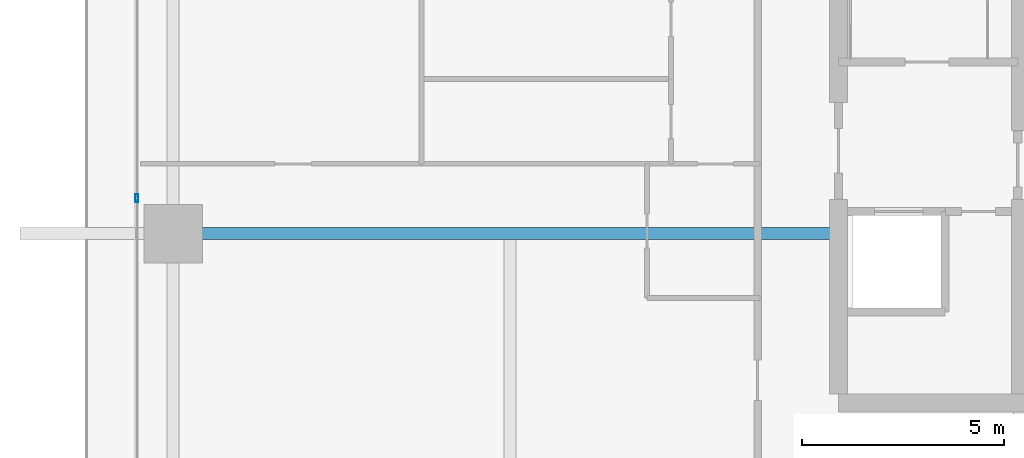
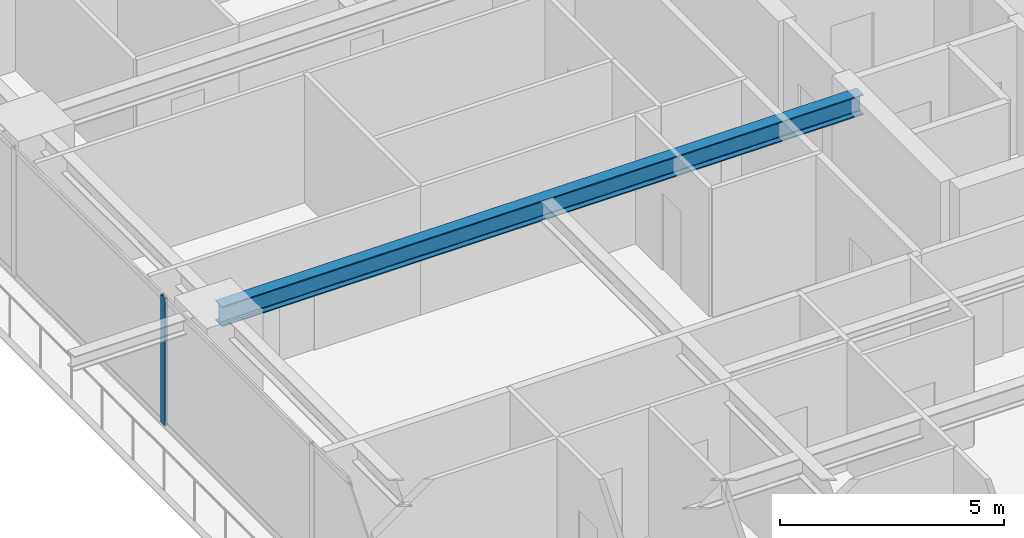
# One storey, part 7 of 38: 1 beam, 1 member, 1 element without a shape of its own.
"""IFC4 building model written with IfcOpenShell, lengths in metres."""

import ifcopenshell
import ifcopenshell.guid

model = None  # the IFC model being written
_history = None  # IfcOwnerHistory: only IFC2X3 demands one
_inside = {}  # id of a spatial element -> (the spatial element, [elements in it])
_under = {}  # id of a project, library or spatial element -> (it, [spatial elements below it])
_declared = {}  # id of a project -> (the project, [libraries it declares])
_typed = {}  # id of a type object -> (the type object, [elements of that type])
_made_of = {}  # id of a material, layer set ... -> (it, [elements and type objects made of it])


def new_model(schema):
    """Start an empty IFC model of exactly this schema.

    Asked for "IFC4X3", IfcOpenShell would pick the latest addendum, in which some entities
    have other attributes; the version numbers below select the first issue.
    IFC2X3 requires an IfcOwnerHistory on every rooted entity: one is made here for all.
    """
    global model, _history
    if schema == "IFC4X3":
        model = ifcopenshell.file(schema_version=(4, 3, 0, 0))
    else:
        model = ifcopenshell.file(schema=schema)
    _inside.clear()
    _under.clear()
    _declared.clear()
    _typed.clear()
    _made_of.clear()
    _history = None
    if model.schema == "IFC2X3":
        org = make("IfcOrganization", Name="unknown")
        user = make(
            "IfcPersonAndOrganization",
            ThePerson=make("IfcPerson", FamilyName="unknown"),
            TheOrganization=org,
        )
        app = make(
            "IfcApplication",
            ApplicationDeveloper=org,
            Version="unknown",
            ApplicationFullName="unknown",
            ApplicationIdentifier="unknown",
        )
        _history = make(
            "IfcOwnerHistory",
            OwningUser=user,
            OwningApplication=app,
            ChangeAction="ADDED",
            CreationDate=0,
        )
    return model


def make(cls, **values):
    """One entity of the class cls with the attributes given. An attribute that is None is left unset."""
    return model.create_entity(
        cls, **{name: value for name, value in values.items() if value is not None}
    )


def rooted(cls, **values):
    """An entity with a GlobalId (a new one), such as an element, a storey or a relation."""
    return make(cls, GlobalId=ifcopenshell.guid.new(), OwnerHistory=_history, **values)


def si_unit(unit_type, name, prefix=None):
    """IfcSIUnit, for example si_unit("LENGTHUNIT", "METRE", prefix="MILLI")."""
    return make("IfcSIUnit", UnitType=unit_type, Prefix=prefix, Name=name)


def assignment(units):
    """IfcUnitAssignment: the units of a project."""
    return None if units is None else make("IfcUnitAssignment", Units=units)


def point(xyz):
    """IfcCartesianPoint."""
    return None if xyz is None else make("IfcCartesianPoint", Coordinates=xyz)


def direction(xyz):
    """IfcDirection."""
    return None if xyz is None else make("IfcDirection", DirectionRatios=xyz)


def frame(location, z_axis=None, x_axis=None):
    """IfcAxis2Placement3D, a coordinate frame: its origin and axes. An axis left out is left unset."""
    return make(
        "IfcAxis2Placement3D",
        Location=point(location),
        Axis=direction(z_axis),
        RefDirection=direction(x_axis),
    )


def frame_2d(location, x_axis=None):
    """IfcAxis2Placement2D, a coordinate frame in the plane: its origin and x axis."""
    return make(
        "IfcAxis2Placement2D", Location=point(location), RefDirection=direction(x_axis)
    )


def origin():
    """The frame at (0, 0, 0) with its axes left unset."""
    return frame((0.0, 0.0, 0.0))


def origin_2d():
    """The frame at (0, 0) in the plane with its x axis left unset."""
    return frame_2d((0.0, 0.0))


def place(relative_to, where):
    """IfcLocalPlacement: puts the frame where relative to a parent placement (None: the world)."""
    return make(
        "IfcLocalPlacement", PlacementRelTo=relative_to, RelativePlacement=where
    )


def context(
    kind, dimensions, precision=None, world=None, true_north=None, identifier=None
):
    """IfcGeometricRepresentationContext, for example the 3D "Model" context."""
    return make(
        "IfcGeometricRepresentationContext",
        ContextIdentifier=identifier,
        ContextType=kind,
        CoordinateSpaceDimension=dimensions,
        Precision=precision,
        WorldCoordinateSystem=world,
        TrueNorth=true_north,
    )


def subcontext(parent, identifier, kind, view, scale=None):
    """IfcGeometricRepresentationSubContext, for example "Body" below "Model"."""
    return make(
        "IfcGeometricRepresentationSubContext",
        ContextIdentifier=identifier,
        ContextType=kind,
        ParentContext=parent,
        TargetScale=scale,
        TargetView=view,
    )


def project(units=None, contexts=None):
    """IfcProject with its units and contexts."""
    return rooted(
        "IfcProject",
        Name="project",
        RepresentationContexts=contexts,
        UnitsInContext=assignment(units),
    )


def spatial(cls, under=None, at=None, **own):
    """A site, building, storey or space (cls), placed at a placement, below another one or the project."""
    s = rooted(cls, ObjectPlacement=at, **own)
    if under is not None:
        _under.setdefault(under.id(), (under, []))[1].append(s)
    return s


def profile(cls, at=None, kind="AREA", **sizes):
    """A parametric profile (cls). Its sizes go by their IFC names, for example OverallWidth=200.0."""
    return make(cls, ProfileType=kind, Position=at, **sizes)


def hollow_rectangle(**sizes):
    """IfcRectangleHollowProfileDef."""
    return profile("IfcRectangleHollowProfileDef", **sizes)


def i_section(**sizes):
    """IfcIShapeProfileDef."""
    return profile("IfcIShapeProfileDef", **sizes)


def extrude(swept, where, along, depth):
    """IfcExtrudedAreaSolid: the profile swept, set in the frame where, extruded along a direction by depth."""
    return make(
        "IfcExtrudedAreaSolid",
        SweptArea=swept,
        Position=where,
        ExtrudedDirection=direction(along),
        Depth=depth,
    )


def shape(context_of_items, identifier, shape_type, items):
    """IfcShapeRepresentation: the items that make up one representation, for example the "Body"."""
    return make(
        "IfcShapeRepresentation",
        ContextOfItems=context_of_items,
        RepresentationIdentifier=identifier,
        RepresentationType=shape_type,
        Items=items,
    )


def source(mapping_origin, context_of_items, identifier, shape_type, items):
    """IfcRepresentationMap: a shape defined once, which mapped items show again and again."""
    return make(
        "IfcRepresentationMap",
        MappingOrigin=mapping_origin,
        MappedRepresentation=shape(context_of_items, identifier, shape_type, items),
    )


def transform(
    local_origin,
    x_axis=None,
    y_axis=None,
    z_axis=None,
    scale=None,
    scale2=None,
    scale3=None,
    uniform=True,
):
    """IfcCartesianTransformationOperator3D, or its non-uniform kind. x_axis, y_axis, z_axis: its Axis1, 2, 3."""
    if uniform:
        return make(
            "IfcCartesianTransformationOperator3D",
            Axis1=direction(x_axis),
            Axis2=direction(y_axis),
            LocalOrigin=point(local_origin),
            Scale=scale,
            Axis3=direction(z_axis),
        )
    return make(
        "IfcCartesianTransformationOperator3DnonUniform",
        Axis1=direction(x_axis),
        Axis2=direction(y_axis),
        LocalOrigin=point(local_origin),
        Scale=scale,
        Axis3=direction(z_axis),
        Scale2=scale2,
        Scale3=scale3,
    )


def mapped(mapping_source, mapping_target):
    """IfcMappedItem: shows the shape of a source again, moved by a transform."""
    return make(
        "IfcMappedItem", MappingSource=mapping_source, MappingTarget=mapping_target
    )


def material(Name=None, Category=None):
    """IfcMaterial."""
    return make("IfcMaterial", Name=Name, Category=Category)


def layer(
    of_material, thickness, ventilated=None, Name=None, Category=None, Priority=None
):
    """IfcMaterialLayer: one layer of a wall or slab, of a material (None: an air gap)."""
    return make(
        "IfcMaterialLayer",
        Material=of_material,
        LayerThickness=thickness,
        IsVentilated=ventilated,
        Name=Name,
        Category=Category,
        Priority=Priority,
    )


def layer_set(layers, Name=None):
    """IfcMaterialLayerSet."""
    return make("IfcMaterialLayerSet", MaterialLayers=layers, LayerSetName=Name)


def material_profile(
    of_material, cross_section, Name=None, Category=None, Priority=None
):
    """IfcMaterialProfile: a cross section and its material."""
    return make(
        "IfcMaterialProfile",
        Name=Name,
        Material=of_material,
        Profile=cross_section,
        Priority=Priority,
        Category=Category,
    )


def profile_set(profiles, Name=None, composite=None):
    """IfcMaterialProfileSet."""
    return make(
        "IfcMaterialProfileSet",
        Name=Name,
        MaterialProfiles=profiles,
        CompositeProfile=composite,
    )


def made_of(thing, what):
    """Note that an element or type object is made of a material, layer set ...; save() writes the relation."""
    if what is not None:
        _made_of.setdefault(what.id(), (what, []))[1].append(thing)
    return thing


def type_object(cls, material=None, **own):
    """A type object (cls), such as IfcWallType, which elements share."""
    return made_of(rooted(cls, **own), material)


def element(
    cls,
    number,
    at=None,
    inside=None,
    cuts=None,
    type_object=None,
    material=None,
    context=None,
    identifier="Body",
    shape_type=None,
    held_by="IfcProductDefinitionShape",
    body=None,
    shapes=None,
    **own,
):
    """One element of the class cls, such as IfcWall. Its Tag is "e" and its number.

    at: its placement. inside: the storey or other place that contains it. cuts: it is an
    opening in that element (IfcRelVoidsElement). A single representation is given by context,
    identifier, shape_type and body (its items); several are given by shapes. held_by: the class
    of the entity that holds the representations. save() writes the other relations.
    """
    e = rooted(cls, Tag="e%d" % number, ObjectPlacement=at, **own)
    if body is not None:
        shapes = [shape(context, identifier, shape_type, body)]
    if shapes is not None:
        e.Representation = make(held_by, Representations=shapes)
    if inside is not None:
        _inside.setdefault(inside.id(), (inside, []))[1].append(e)
    if cuts is not None:
        rooted(
            "IfcRelVoidsElement", RelatingBuildingElement=cuts, RelatedOpeningElement=e
        )
    if type_object is not None:
        _typed.setdefault(type_object.id(), (type_object, []))[1].append(e)
    return made_of(e, material)


def aggregate(whole, parts):
    """IfcRelAggregates: a whole, such as a stair, and the parts it consists of."""
    return rooted("IfcRelAggregates", RelatingObject=whole, RelatedObjects=parts)


def save(model, path):
    """Write the relations noted so far, then the file.

    IfcRelAggregates (storeys below a building ...), IfcRelContainedInSpatialStructure (elements
    in a storey), IfcRelDefinesByType, IfcRelAssociatesMaterial and IfcRelDeclares: one each for
    every whole, place, type object, material and project.
    """
    for whole, parts in _under.values():
        aggregate(whole, parts)
    for where, things in _inside.values():
        rooted(
            "IfcRelContainedInSpatialStructure",
            RelatedElements=things,
            RelatingStructure=where,
        )
    for kind, things in _typed.values():
        rooted("IfcRelDefinesByType", RelatedObjects=things, RelatingType=kind)
    for what, things in _made_of.values():
        rooted("IfcRelAssociatesMaterial", RelatedObjects=things, RelatingMaterial=what)
    for by, libraries in _declared.values():
        rooted("IfcRelDeclares", RelatingContext=by, RelatedDefinitions=libraries)
    model.write(path)


model = new_model("IFC4")

# Units and contexts
model_context = context("Model", 3, precision=1e-05, world=origin(), true_north=direction((0.0, 1.0)))
body_context = subcontext(model_context, "Body", "Model", "MODEL_VIEW")
ifc_project = project(units=[si_unit("LENGTHUNIT", "METRE"), si_unit("AREAUNIT", "SQUARE_METRE"), si_unit("VOLUMEUNIT", "CUBIC_METRE"), si_unit("PLANEANGLEUNIT", "RADIAN"), si_unit("MASSUNIT", "GRAM", prefix="KILO")], contexts=[model_context])

# Site, building, storey
site_placement = place(None, origin())
site = spatial("IfcSite", under=ifc_project, at=site_placement, CompositionType="ELEMENT")
building_placement = place(site_placement, origin())
building = spatial("IfcBuilding", under=site, at=building_placement, Name="Serunith Strait Residences", CompositionType="ELEMENT")
storey_placement = place(building_placement, frame((0.0, 0.0, 52.949951171875)))
storey = spatial("IfcBuildingStorey", under=building, at=storey_placement, Name="L12", CompositionType="ELEMENT", Elevation=52.949951171875)

# Beam
ifc_material_1 = material(Name="Steel S355J2", Category="steel")
ifc_material_profile_1 = material_profile(ifc_material_1, i_section(OverallWidth=0.300048828125, OverallDepth=0.550048828125, WebThickness=0.014892578125, FlangeThickness=0.029052734375, FilletRadius=0.027099609375, at=origin_2d()), Name="HEB 550")
ifc_profile_set_1 = profile_set([ifc_material_profile_1], Name="Steel S355J2")
beam_type = type_object("IfcBeamType", Name="BM-HEB550", PredefinedType="BEAM", material=ifc_profile_set_1)
shared_shape_1 = source(origin(), body_context, "Body", "SweptSolid", [
    extrude(i_section(OverallWidth=0.300048828125, OverallDepth=0.550048828125, WebThickness=0.014892578125, FlangeThickness=0.029052734375, FilletRadius=0.027099609375, at=origin_2d()), origin(), (0.0, 0.0, 1.0), 16.5),
])
beam_placement = place(storey_placement, frame((23.39990234375, 21.0, 3.212158203125), z_axis=(-1.0, 0.0, 0.0), x_axis=(0.0, -1.0, 0.0)))
element("IfcBeam", 1, at=beam_placement, inside=storey, type_object=beam_type, Name="L12 Primary Floor Girder TC-W2", PredefinedType="BEAM", context=body_context, shape_type="MappedRepresentation", body=[
    mapped(shared_shape_1, transform((0.0, 0.0, 0.0), scale=1.0)),
])

# Curtain wall, member
ifc_material_2 = material(Name="Pale-Champagne Anodised Aluminium", Category="aluminium")
ifc_layer = layer(ifc_material_2, 0.199951171875, Name="Pale-Champagne Anodised Aluminium")
ifc_layer_set = layer_set([ifc_layer], Name="Pale-Champagne Anodised Aluminium")
curtain_wall_type = type_object("IfcCurtainWallType", Name="CW-SYS1", PredefinedType="NOTDEFINED", material=ifc_layer_set)
curtain_wall_placement = place(storey_placement, origin())
curtain_wall = element("IfcCurtainWall", 2, at=curtain_wall_placement, inside=storey, type_object=curtain_wall_type, Name="L12 W Unitised Fritted Curtain Wall", PredefinedType="NOTDEFINED")
ifc_material_profile_2 = material_profile(ifc_material_2, hollow_rectangle(XDim=0.070068359375, YDim=0.199951171875, WallThickness=0.00390625, InnerFilletRadius=0.006103515625, OuterFilletRadius=0.010009765625, at=origin_2d()), Name="ALU 200x70x4")
ifc_profile_set_2 = profile_set([ifc_material_profile_2], Name="Pale-Champagne Anodised Aluminium")
member_type = type_object("IfcMemberType", Name="CW-SYS1-MULL", PredefinedType="MULLION", material=ifc_profile_set_2)
shared_shape_2 = source(origin(), body_context, "Body", "SweptSolid", [
    extrude(hollow_rectangle(XDim=0.070068359375, YDim=0.199951171875, WallThickness=0.00390625, InnerFilletRadius=0.006103515625, OuterFilletRadius=0.010009765625, at=origin_2d()), origin(), (0.0, 0.0, 1.0), 3.47509765625),
])
member_placement = place(storey_placement, frame((6.0, 21.8798828125, 0.0), z_axis=(0.0, 0.0, 1.0), x_axis=(1.0, 0.0, 0.0)))
member = element("IfcMember", 3, at=member_placement, type_object=member_type, Name="CW-1 mullion 4", PredefinedType="MULLION", context=body_context, shape_type="MappedRepresentation", body=[
    mapped(shared_shape_2, transform((0.0, 0.0, 0.0), scale=1.0)),
])
aggregate(curtain_wall, [member])

save(model, "model.ifc")
